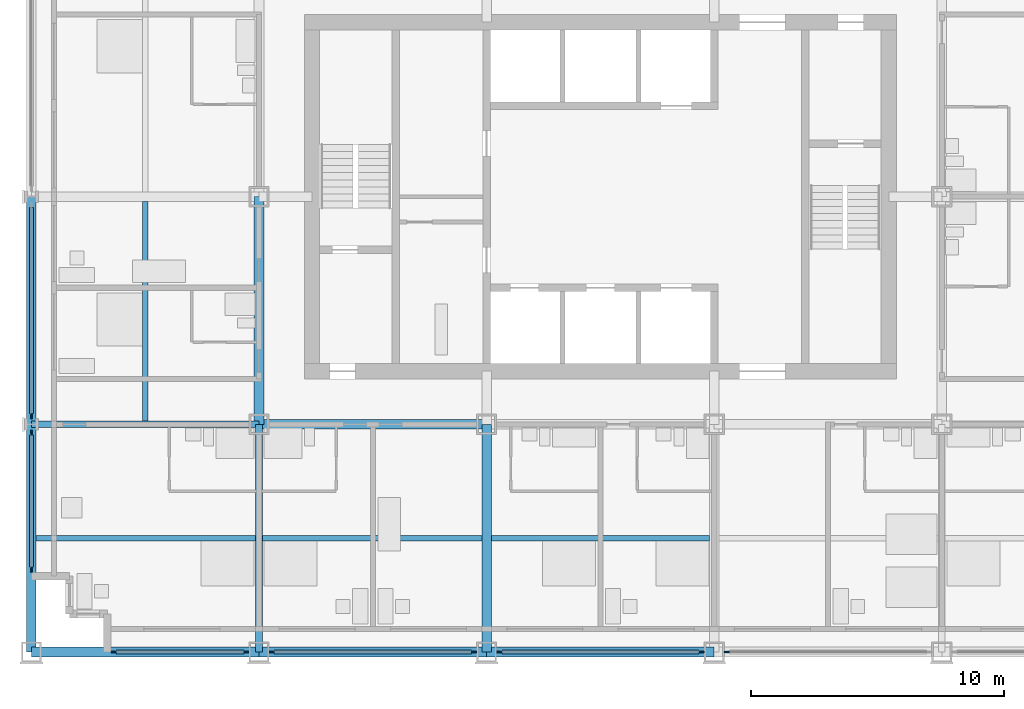
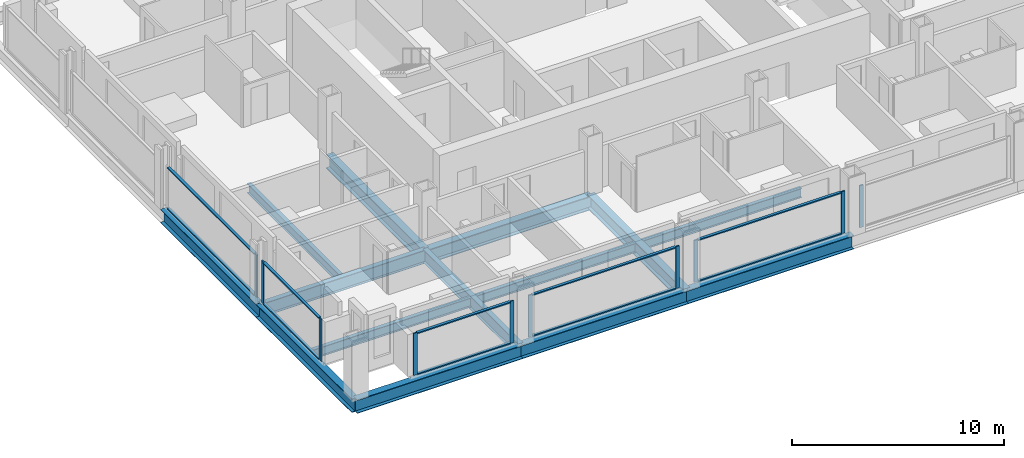
# One storey, part 2 of 16: 20 members, 14 beams, 6 elements without a shape of their own.
"""IFC4 building model written with IfcOpenShell, lengths in metres."""

from ifc_helpers import new_model, si_unit, direction, frame, origin, origin_2d, place, context, subcontext, project, spatial, rectangle, i_section, extrude, material, material_profile, profile_set, type_object, element, aggregate, save


model = new_model("IFC4")

# Units and contexts
model_context = context("Model", 3, precision=1e-05, world=origin(), true_north=direction((0.0, 1.0)))
body_context = subcontext(model_context, "Body", "Model", "MODEL_VIEW")
ifc_project = project(units=[si_unit("LENGTHUNIT", "METRE"), si_unit("AREAUNIT", "SQUARE_METRE"), si_unit("VOLUMEUNIT", "CUBIC_METRE"), si_unit("PLANEANGLEUNIT", "RADIAN"), si_unit("MASSUNIT", "GRAM", prefix="KILO")], contexts=[model_context])

# Site, building, storey
site_placement = place(None, origin())
site = spatial("IfcSite", under=ifc_project, at=site_placement, CompositionType="ELEMENT")
building_placement = place(site_placement, origin())
building = spatial("IfcBuilding", under=site, at=building_placement, Name="Loomwork Tower", CompositionType="ELEMENT")
storey_placement = place(building_placement, frame((0.0, 0.0, 104.39990234375)))
storey = spatial("IfcBuildingStorey", under=building, at=storey_placement, Name="L27", CompositionType="ELEMENT", Elevation=104.39990234375)

# Beams
ifc_material_1 = material(Name="Steel ASTM A992", Category="steel")
ifc_material_profile_1 = material_profile(ifc_material_1, i_section(OverallWidth=0.383544921875, OverallDepth=0.794921875, WebThickness=0.02099609375, FlangeThickness=0.0380859375, at=origin_2d()), Name="W30x235")
ifc_profile_set_1 = profile_set([ifc_material_profile_1], Name="Steel ASTM A992")
beam_type_1 = type_object("IfcBeamType", Name="CORE FLANK GIRDER W30x235", PredefinedType="BEAM", material=ifc_profile_set_1)
for number, where, z_axis, x_axis, name in (
    (1, (9.0, 9.0, -0.597412109375), (1.0, 0.0, 0.0), (0.0, 1.0, 0.0), "Core Flank Girder E/3-E/4 L27"),
    (2, (9.0, 9.0, -0.597412109375), (0.0, 1.0, 0.0), (-1.0, 0.0, 0.0), "Core Flank Girder E/3-F/3 L27"),
    (3, (18.0, 0.0, -0.597412109375), (0.0, 1.0, 0.0), (-1.0, 0.0, 0.0), "Core Flank Girder D/4-E/4 L27"),
):
    element("IfcBeam", number, at=place(storey_placement, frame(where, z_axis=z_axis, x_axis=x_axis)), inside=storey, type_object=beam_type_1, Name=name, PredefinedType="BEAM", context=body_context, shape_type="SweptSolid", body=[
        extrude(i_section(OverallWidth=0.383544921875, OverallDepth=0.794921875, WebThickness=0.02099609375, FlangeThickness=0.0380859375, at=origin_2d()), origin(), (0.0, 0.0, 1.0), 9.0),
    ])
ifc_material_2 = material(Name="Steel ASTM A992", Category="steel")
ifc_material_profile_2 = material_profile(ifc_material_2, i_section(OverallWidth=0.2666015625, OverallDepth=0.761962890625, WebThickness=0.014404296875, FlangeThickness=0.021484375, at=origin_2d()), Name="W30x116")
ifc_profile_set_2 = profile_set([ifc_material_profile_2], Name="Steel ASTM A992")
beam_type_2 = type_object("IfcBeamType", Name="FLOOR GIRDER W30x116", PredefinedType="BEAM", material=ifc_profile_set_2)
for number, where, z_axis, x_axis, name in (
    (4, (0.0, 9.0, -0.580810546875), (1.0, 0.0, 0.0), (0.0, 1.0, 0.0), "Floor Girder E/2-E/3 L27"),
    (5, (9.0, 0.0, -0.580810546875), (0.0, 1.0, 0.0), (-1.0, 0.0, 0.0), "Floor Girder D/3-E/3 L27"),
):
    element("IfcBeam", number, at=place(storey_placement, frame(where, z_axis=z_axis, x_axis=x_axis)), inside=storey, type_object=beam_type_2, Name=name, PredefinedType="BEAM", context=body_context, shape_type="SweptSolid", body=[
        extrude(i_section(OverallWidth=0.2666015625, OverallDepth=0.761962890625, WebThickness=0.014404296875, FlangeThickness=0.021484375, at=origin_2d()), origin(), (0.0, 0.0, 1.0), 9.0),
    ])
ifc_material_3 = material(Name="Steel ASTM A992", Category="steel")
ifc_material_profile_3 = material_profile(ifc_material_3, i_section(OverallWidth=0.2109375, OverallDepth=0.53857421875, WebThickness=0.011474609375, FlangeThickness=0.018798828125, at=origin_2d()), Name="W21x73")
ifc_profile_set_3 = profile_set([ifc_material_profile_3], Name="Steel ASTM A992")
beam_type_3 = type_object("IfcBeamType", Name="FLOOR JOIST W21x73", PredefinedType="JOIST", material=ifc_profile_set_3)
beam_1_placement = place(storey_placement, frame((0.18994140625, 4.5, -0.46923828125), z_axis=(1.0, 0.0, 0.0), x_axis=(0.0, 1.0, 0.0)))
element("IfcBeam", 6, at=beam_1_placement, inside=storey, type_object=beam_type_3, Name="Floor Joist 0.000,4.500-9.000,4.500 L27", PredefinedType="JOIST", context=body_context, shape_type="SweptSolid", body=[
    extrude(i_section(OverallWidth=0.2109375, OverallDepth=0.53857421875, WebThickness=0.011474609375, FlangeThickness=0.018798828125, at=origin_2d()), origin(), (0.0, 0.0, 1.0), 8.677001953125),
])
for number, where, z_axis, x_axis, name in (
    (7, (4.5, 9.133056640625, -0.46923828125), (0.0, 1.0, 0.0), (-1.0, 0.0, 0.0), "Floor Joist 4.500,9.000-4.500,18.000 L27"),
    (8, (9.133056640625, 4.5, -0.46923828125), (1.0, 0.0, 0.0), (0.0, 1.0, 0.0), "Floor Joist 9.000,4.500-18.000,4.500 L27"),
):
    element("IfcBeam", number, at=place(storey_placement, frame(where, z_axis=z_axis, x_axis=x_axis)), inside=storey, type_object=beam_type_3, Name=name, PredefinedType="JOIST", context=body_context, shape_type="SweptSolid", body=[
        extrude(i_section(OverallWidth=0.2109375, OverallDepth=0.53857421875, WebThickness=0.011474609375, FlangeThickness=0.018798828125, at=origin_2d()), origin(), (0.0, 0.0, 1.0), 8.676025390625),
    ])
beam_2_placement = place(storey_placement, frame((18.19091796875, 4.5, -0.46923828125), z_axis=(1.0, 0.0, 0.0), x_axis=(0.0, 1.0, 0.0)))
element("IfcBeam", 9, at=beam_2_placement, inside=storey, type_object=beam_type_3, Name="Floor Joist 18.000,4.500-27.000,4.500 L27", PredefinedType="JOIST", context=body_context, shape_type="SweptSolid", body=[
    extrude(i_section(OverallWidth=0.2109375, OverallDepth=0.53857421875, WebThickness=0.011474609375, FlangeThickness=0.018798828125, at=origin_2d()), origin(), (0.0, 0.0, 1.0), 8.6181640625),
])

# Curtain wall, members
ifc_material_4 = material(Name="Aluminium curtain wall frame", Category="aluminium")
curtain_wall_type = type_object("IfcCurtainWallType", Name="Outer skin glazing hotel", PredefinedType="NOTDEFINED", material=ifc_material_4)
curtain_wall_1_placement = place(storey_placement, origin())
curtain_wall_1 = element("IfcCurtainWall", 10, at=curtain_wall_1_placement, inside=storey, type_object=curtain_wall_type, Name="Outer skin glazing hotel cw/S-0", PredefinedType="NOTDEFINED")
ifc_material_5 = material(Name="Aluminium curtain wall frame", Category="aluminium")
ifc_material_profile_4 = material_profile(ifc_material_5, rectangle(XDim=0.06494140625, YDim=0.199951171875, at=origin_2d()), Name="AL 65x200")
ifc_profile_set_4 = profile_set([ifc_material_profile_4], Name="Aluminium curtain wall frame")
member_type_1 = type_object("IfcMemberType", Name="Outer skin glazing hotel mullion", PredefinedType="MULLION", material=ifc_profile_set_4)
member_1_placement = place(storey_placement, frame((3.25, 0.0, 0.0), z_axis=(0.0, 0.0, 1.0), x_axis=(0.0, 1.0, 0.0)))
member_1 = element("IfcMember", 11, at=member_1_placement, type_object=member_type_1, Name="CW1 mullion 1", PredefinedType="MULLION", context=body_context, shape_type="SweptSolid", body=[
    extrude(rectangle(XDim=0.06494140625, YDim=0.199951171875, at=origin_2d()), origin(), (0.0, 0.0, 1.0), 2.42041015625),
])
member_2_placement = place(storey_placement, frame((8.5, 0.0, 0.0), z_axis=(0.0, 0.0, 1.0), x_axis=(0.0, 1.0, 0.0)))
member_2 = element("IfcMember", 12, at=member_2_placement, type_object=member_type_1, Name="CW1 mullion 2", PredefinedType="MULLION", context=body_context, shape_type="SweptSolid", body=[
    extrude(rectangle(XDim=0.06494140625, YDim=0.199951171875, at=origin_2d()), origin(), (0.0, 0.0, 1.0), 2.42041015625),
])

curtain_wall_2_placement = place(storey_placement, origin())
curtain_wall_2 = element("IfcCurtainWall", 13, at=curtain_wall_2_placement, inside=storey, type_object=curtain_wall_type, Name="Outer skin glazing hotel cw/S-9", PredefinedType="NOTDEFINED")
member_3_placement = place(storey_placement, frame((9.5, 0.0, 0.0), z_axis=(0.0, 0.0, 1.0), x_axis=(0.0, 1.0, 0.0)))
member_3 = element("IfcMember", 14, at=member_3_placement, type_object=member_type_1, Name="CW1 mullion 1", PredefinedType="MULLION", context=body_context, shape_type="SweptSolid", body=[
    extrude(rectangle(XDim=0.06494140625, YDim=0.199951171875, at=origin_2d()), origin(), (0.0, 0.0, 1.0), 2.42041015625),
])
member_4_placement = place(storey_placement, frame((17.5, 0.0, 0.0), z_axis=(0.0, 0.0, 1.0), x_axis=(0.0, 1.0, 0.0)))
member_4 = element("IfcMember", 15, at=member_4_placement, type_object=member_type_1, Name="CW1 mullion 2", PredefinedType="MULLION", context=body_context, shape_type="SweptSolid", body=[
    extrude(rectangle(XDim=0.06494140625, YDim=0.199951171875, at=origin_2d()), origin(), (0.0, 0.0, 1.0), 2.42041015625),
])

curtain_wall_3_placement = place(storey_placement, origin())
curtain_wall_3 = element("IfcCurtainWall", 16, at=curtain_wall_3_placement, inside=storey, type_object=curtain_wall_type, Name="Outer skin glazing hotel cw/S-18", PredefinedType="NOTDEFINED")
member_5_placement = place(storey_placement, frame((18.5, 0.0, 0.0), z_axis=(0.0, 0.0, 1.0), x_axis=(0.0, 1.0, 0.0)))
member_5 = element("IfcMember", 17, at=member_5_placement, type_object=member_type_1, Name="CW1 mullion 1", PredefinedType="MULLION", context=body_context, shape_type="SweptSolid", body=[
    extrude(rectangle(XDim=0.06494140625, YDim=0.199951171875, at=origin_2d()), origin(), (0.0, 0.0, 1.0), 2.42041015625),
])
member_6_placement = place(storey_placement, frame((26.5, 0.0, 0.0), z_axis=(0.0, 0.0, 1.0), x_axis=(0.0, 1.0, 0.0)))
member_6 = element("IfcMember", 18, at=member_6_placement, type_object=member_type_1, Name="CW1 mullion 2", PredefinedType="MULLION", context=body_context, shape_type="SweptSolid", body=[
    extrude(rectangle(XDim=0.06494140625, YDim=0.199951171875, at=origin_2d()), origin(), (0.0, 0.0, 1.0), 2.42041015625),
])

# Curtain wall, member
curtain_wall_4_placement = place(storey_placement, origin())
curtain_wall_4 = element("IfcCurtainWall", 19, at=curtain_wall_4_placement, inside=storey, type_object=curtain_wall_type, Name="Outer skin glazing hotel cw/S-27", PredefinedType="NOTDEFINED")
member_7_placement = place(storey_placement, frame((27.5, 0.0, 0.0), z_axis=(0.0, 0.0, 1.0), x_axis=(0.0, 1.0, 0.0)))
member_7 = element("IfcMember", 20, at=member_7_placement, type_object=member_type_1, Name="CW1 mullion 1", PredefinedType="MULLION", context=body_context, shape_type="SweptSolid", body=[
    extrude(rectangle(XDim=0.06494140625, YDim=0.199951171875, at=origin_2d()), origin(), (0.0, 0.0, 1.0), 2.42041015625),
])
aggregate(curtain_wall_4, [member_7])

# Curtain wall, members
curtain_wall_5_placement = place(storey_placement, origin())
curtain_wall_5 = element("IfcCurtainWall", 21, at=curtain_wall_5_placement, inside=storey, type_object=curtain_wall_type, Name="Outer skin glazing hotel cw/W-0", PredefinedType="NOTDEFINED")
member_8_placement = place(storey_placement, frame((0.0, 8.67529296875, 0.0), z_axis=(0.0, 0.0, 1.0), x_axis=(1.0, 0.0, 0.0)))
member_8 = element("IfcMember", 22, at=member_8_placement, type_object=member_type_1, Name="CW1 mullion 1", PredefinedType="MULLION", context=body_context, shape_type="SweptSolid", body=[
    extrude(rectangle(XDim=0.06494140625, YDim=0.199951171875, at=origin_2d()), origin(), (0.0, 0.0, 1.0), 2.42041015625),
])
member_9_placement = place(storey_placement, frame((0.0, 3.25, 0.0), z_axis=(0.0, 0.0, 1.0), x_axis=(1.0, 0.0, 0.0)))
member_9 = element("IfcMember", 23, at=member_9_placement, type_object=member_type_1, Name="CW1 mullion 2", PredefinedType="MULLION", context=body_context, shape_type="SweptSolid", body=[
    extrude(rectangle(XDim=0.06494140625, YDim=0.199951171875, at=origin_2d()), origin(), (0.0, 0.0, 1.0), 2.42041015625),
])

# Curtain wall, member
curtain_wall_6_placement = place(storey_placement, origin())
curtain_wall_6 = element("IfcCurtainWall", 24, at=curtain_wall_6_placement, inside=storey, type_object=curtain_wall_type, Name="Outer skin glazing hotel cw/W-9", PredefinedType="NOTDEFINED")
member_10_placement = place(storey_placement, frame((0.0, 9.32470703125, 0.0), z_axis=(0.0, 0.0, 1.0), x_axis=(1.0, 0.0, 0.0)))
member_10 = element("IfcMember", 25, at=member_10_placement, type_object=member_type_1, Name="CW1 mullion 2", PredefinedType="MULLION", context=body_context, shape_type="SweptSolid", body=[
    extrude(rectangle(XDim=0.06494140625, YDim=0.199951171875, at=origin_2d()), origin(), (0.0, 0.0, 1.0), 2.42041015625),
])

# Member
ifc_material_6 = material(Name="Aluminium curtain wall frame", Category="aluminium")
ifc_material_profile_5 = material_profile(ifc_material_6, rectangle(XDim=0.14990234375, YDim=0.06494140625, at=origin_2d()), Name="AL 65x150")
ifc_profile_set_5 = profile_set([ifc_material_profile_5], Name="Aluminium curtain wall frame")
member_type_2 = type_object("IfcMemberType", Name="Outer skin glazing hotel transom", PredefinedType="USERDEFINED", material=ifc_profile_set_5)
member_11_placement = place(storey_placement, frame((3.35009765625, 0.0, 0.03271484375), z_axis=(1.0, 0.0, 0.0), x_axis=(0.0, 1.0, 0.0)))
member_11 = element("IfcMember", 26, at=member_11_placement, type_object=member_type_2, Name="CW1 transom 1.1", ObjectType="TRANSOM", PredefinedType="USERDEFINED", context=body_context, shape_type="SweptSolid", body=[
    extrude(rectangle(XDim=0.14990234375, YDim=0.06494140625, at=origin_2d()), origin(), (0.0, 0.0, 1.0), 5.0498046875),
])

member_12_placement = place(storey_placement, frame((3.35009765625, 0.0, 2.3876953125), z_axis=(1.0, 0.0, 0.0), x_axis=(0.0, 1.0, 0.0)))
member_12 = element("IfcMember", 27, at=member_12_placement, type_object=member_type_2, Name="CW1 transom 1.2", ObjectType="TRANSOM", PredefinedType="USERDEFINED", context=body_context, shape_type="SweptSolid", body=[
    extrude(rectangle(XDim=0.14990234375, YDim=0.06494140625, at=origin_2d()), origin(), (0.0, 0.0, 1.0), 5.0498046875),
])

aggregate(curtain_wall_1, [member_1, member_2, member_11, member_12])

member_13_placement = place(storey_placement, frame((9.60009765625, 0.0, 0.03271484375), z_axis=(1.0, 0.0, 0.0), x_axis=(0.0, 1.0, 0.0)))
member_13 = element("IfcMember", 28, at=member_13_placement, type_object=member_type_2, Name="CW1 transom 1.1", ObjectType="TRANSOM", PredefinedType="USERDEFINED", context=body_context, shape_type="SweptSolid", body=[
    extrude(rectangle(XDim=0.14990234375, YDim=0.06494140625, at=origin_2d()), origin(), (0.0, 0.0, 1.0), 7.7998046875),
])

member_14_placement = place(storey_placement, frame((9.60009765625, 0.0, 2.3876953125), z_axis=(1.0, 0.0, 0.0), x_axis=(0.0, 1.0, 0.0)))
member_14 = element("IfcMember", 29, at=member_14_placement, type_object=member_type_2, Name="CW1 transom 1.2", ObjectType="TRANSOM", PredefinedType="USERDEFINED", context=body_context, shape_type="SweptSolid", body=[
    extrude(rectangle(XDim=0.14990234375, YDim=0.06494140625, at=origin_2d()), origin(), (0.0, 0.0, 1.0), 7.7998046875),
])

aggregate(curtain_wall_2, [member_3, member_4, member_13, member_14])

member_15_placement = place(storey_placement, frame((18.60009765625, 0.0, 0.03271484375), z_axis=(1.0, 0.0, 0.0), x_axis=(0.0, 1.0, 0.0)))
member_15 = element("IfcMember", 30, at=member_15_placement, type_object=member_type_2, Name="CW1 transom 1.1", ObjectType="TRANSOM", PredefinedType="USERDEFINED", context=body_context, shape_type="SweptSolid", body=[
    extrude(rectangle(XDim=0.14990234375, YDim=0.06494140625, at=origin_2d()), origin(), (0.0, 0.0, 1.0), 7.7998046875),
])

member_16_placement = place(storey_placement, frame((18.60009765625, 0.0, 2.3876953125), z_axis=(1.0, 0.0, 0.0), x_axis=(0.0, 1.0, 0.0)))
member_16 = element("IfcMember", 31, at=member_16_placement, type_object=member_type_2, Name="CW1 transom 1.2", ObjectType="TRANSOM", PredefinedType="USERDEFINED", context=body_context, shape_type="SweptSolid", body=[
    extrude(rectangle(XDim=0.14990234375, YDim=0.06494140625, at=origin_2d()), origin(), (0.0, 0.0, 1.0), 7.7998046875),
])

aggregate(curtain_wall_3, [member_5, member_6, member_15, member_16])

member_17_placement = place(storey_placement, frame((0.0, 8.5751953125, 0.03271484375), z_axis=(0.0, -1.0, 0.0), x_axis=(1.0, 0.0, 0.0)))
member_17 = element("IfcMember", 32, at=member_17_placement, type_object=member_type_2, Name="CW1 transom 1.1", ObjectType="TRANSOM", PredefinedType="USERDEFINED", context=body_context, shape_type="SweptSolid", body=[
    extrude(rectangle(XDim=0.14990234375, YDim=0.06494140625, at=origin_2d()), origin(), (0.0, 0.0, 1.0), 5.22509765625),
])

member_18_placement = place(storey_placement, frame((0.0, 8.5751953125, 2.3876953125), z_axis=(0.0, -1.0, 0.0), x_axis=(1.0, 0.0, 0.0)))
member_18 = element("IfcMember", 33, at=member_18_placement, type_object=member_type_2, Name="CW1 transom 1.2", ObjectType="TRANSOM", PredefinedType="USERDEFINED", context=body_context, shape_type="SweptSolid", body=[
    extrude(rectangle(XDim=0.14990234375, YDim=0.06494140625, at=origin_2d()), origin(), (0.0, 0.0, 1.0), 5.22509765625),
])

aggregate(curtain_wall_5, [member_8, member_9, member_17, member_18])

member_19_placement = place(storey_placement, frame((0.0, 17.5751953125, 0.03271484375), z_axis=(0.0, -1.0, 0.0), x_axis=(1.0, 0.0, 0.0)))
member_19 = element("IfcMember", 34, at=member_19_placement, type_object=member_type_2, Name="CW1 transom 1.1", ObjectType="TRANSOM", PredefinedType="USERDEFINED", context=body_context, shape_type="SweptSolid", body=[
    extrude(rectangle(XDim=0.14990234375, YDim=0.06494140625, at=origin_2d()), origin(), (0.0, 0.0, 1.0), 8.150390625),
])

member_20_placement = place(storey_placement, frame((0.0, 17.5751953125, 2.3876953125), z_axis=(0.0, -1.0, 0.0), x_axis=(1.0, 0.0, 0.0)))
member_20 = element("IfcMember", 35, at=member_20_placement, type_object=member_type_2, Name="CW1 transom 1.2", ObjectType="TRANSOM", PredefinedType="USERDEFINED", context=body_context, shape_type="SweptSolid", body=[
    extrude(rectangle(XDim=0.14990234375, YDim=0.06494140625, at=origin_2d()), origin(), (0.0, 0.0, 1.0), 8.150390625),
])

aggregate(curtain_wall_6, [member_10, member_19, member_20])

# Beams
ifc_material_7 = material(Name="Steel ASTM A992", Category="steel")
ifc_material_profile_6 = material_profile(ifc_material_7, i_section(OverallWidth=0.381103515625, OverallDepth=0.77978515625, WebThickness=0.01806640625, FlangeThickness=0.0302734375, at=origin_2d()), Name="W30x191")
ifc_profile_set_6 = profile_set([ifc_material_profile_6], Name="Steel ASTM A992")
beam_type_4 = type_object("IfcBeamType", Name="SPANDREL GIRDER W30x191", PredefinedType="SPANDREL", material=ifc_profile_set_6)
for number, where, z_axis, x_axis, name in (
    (36, (0.0, 0.0, -0.58984375), (1.0, 0.0, 0.0), (0.0, 1.0, 0.0), "Spandrel Girder D/2-D/3 L27"),
    (37, (9.0, 0.0, -0.58984375), (1.0, 0.0, 0.0), (0.0, 1.0, 0.0), "Spandrel Girder D/3-D/4 L27"),
    (38, (18.0, 0.0, -0.58984375), (1.0, 0.0, 0.0), (0.0, 1.0, 0.0), "Spandrel Girder D/4-D/5 L27"),
    (39, (0.0, 0.0, -0.58984375), (0.0, 1.0, 0.0), (-1.0, 0.0, 0.0), "Spandrel Girder D/2-E/2 L27"),
    (40, (0.0, 9.0, -0.58984375), (0.0, 1.0, 0.0), (-1.0, 0.0, 0.0), "Spandrel Girder E/2-F/2 L27"),
):
    element("IfcBeam", number, at=place(storey_placement, frame(where, z_axis=z_axis, x_axis=x_axis)), inside=storey, type_object=beam_type_4, Name=name, PredefinedType="SPANDREL", context=body_context, shape_type="SweptSolid", body=[
        extrude(i_section(OverallWidth=0.381103515625, OverallDepth=0.77978515625, WebThickness=0.01806640625, FlangeThickness=0.0302734375, at=origin_2d()), origin(), (0.0, 0.0, 1.0), 9.0),
    ])

save(model, "model.ifc")
